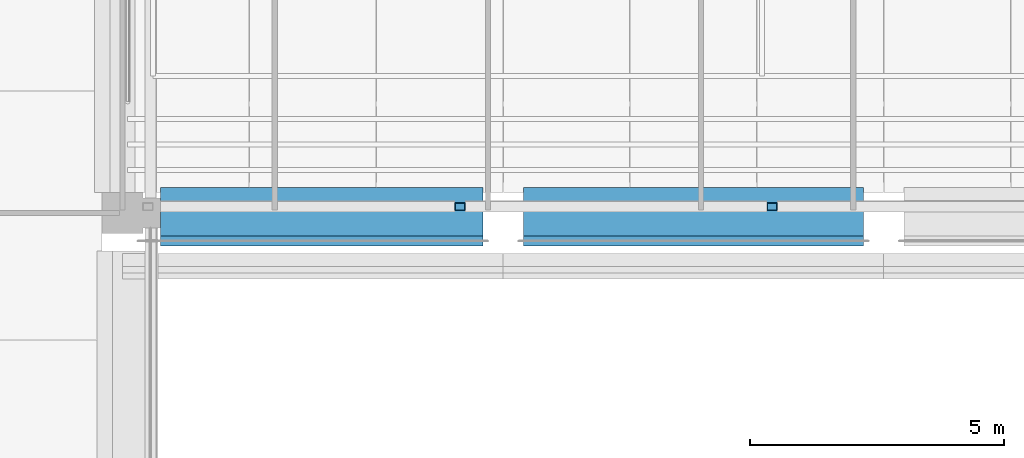
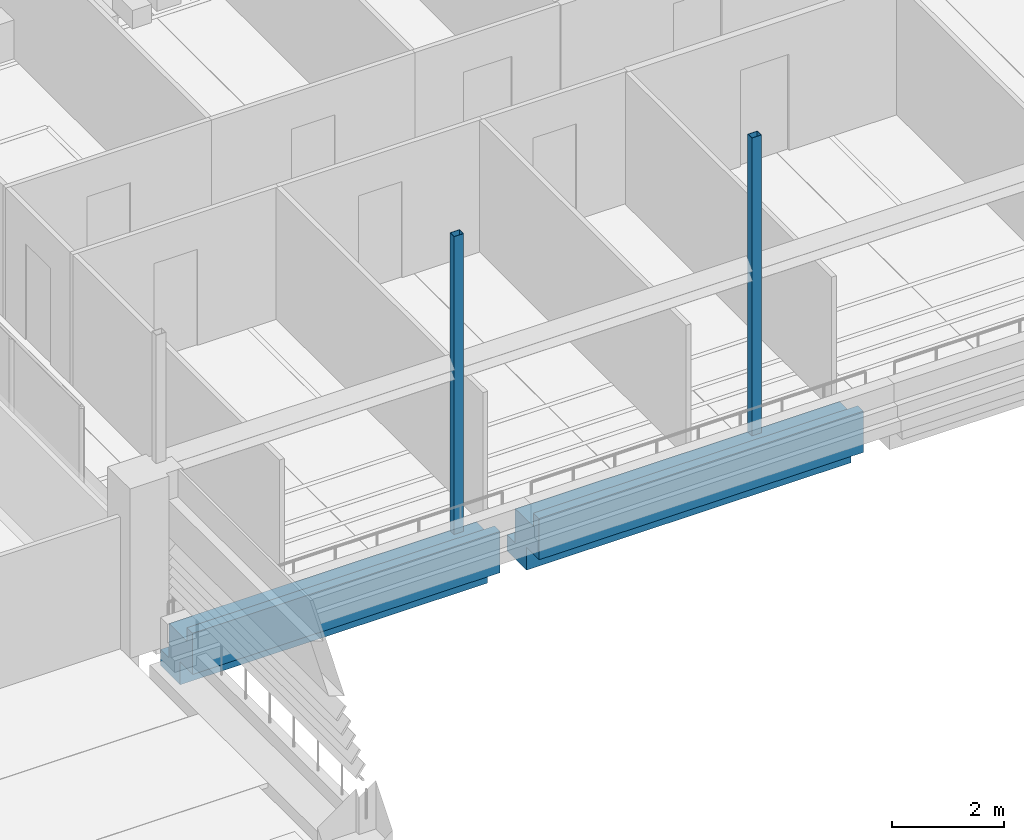
# One storey, part 4 of 62: 2 beams, 2 members.
"""IFC4 building model written with IfcOpenShell, lengths in metres."""

from ifc_helpers import new_model, si_unit, direction, frame, origin, origin_2d, place, context, subcontext, project, spatial, polyline, hollow_rectangle, outline, extrude, material, material_profile, profile_set, type_object, element, save


model = new_model("IFC4")

# Units and contexts
model_context = context("Model", 3, precision=1e-05, world=origin(), true_north=direction((0.0, 1.0)))
body_context = subcontext(model_context, "Body", "Model", "MODEL_VIEW")
ifc_project = project(units=[si_unit("LENGTHUNIT", "METRE"), si_unit("AREAUNIT", "SQUARE_METRE"), si_unit("VOLUMEUNIT", "CUBIC_METRE"), si_unit("PLANEANGLEUNIT", "RADIAN"), si_unit("MASSUNIT", "GRAM", prefix="KILO")], contexts=[model_context])

# Site, building, storey
site_placement = place(None, origin())
site = spatial("IfcSite", under=ifc_project, at=site_placement, CompositionType="ELEMENT")
building_placement = place(site_placement, origin())
building = spatial("IfcBuilding", under=site, at=building_placement, Name="Cour d'Honneur Mobility Palace", CompositionType="ELEMENT")
storey_placement = place(building_placement, frame((0.0, 0.0, 19.300048828125)))
storey = spatial("IfcBuildingStorey", under=building, at=storey_placement, Name="L05", CompositionType="ELEMENT", Elevation=19.300048828125)

# Beams
ifc_material_1 = material(Name="Concrete C45", Category="concrete")
ifc_material_profile_1 = material_profile(ifc_material_1, outline(polyline([(0.5, -1.10009765625), (0.5, -0.75), (0.199951171875, -0.75), (0.199951171875, 0.0), (-0.199951171875, 0.0), (-0.449951171875, 0.0), (-0.449951171875, 0.300048828125), (-0.64990234375, 0.300048828125), (-0.64990234375, -0.60009765625), (-0.199951171875, -0.60009765625), (-0.199951171875, -1.10009765625), (0.5, -1.10009765625)])), Name="Ledger Beam 400x1100 ledge left 350 facade right")
ifc_profile_set_1 = profile_set([ifc_material_profile_1], Name="Concrete C45")
beam_type = type_object("IfcBeamType", Name="Ledger Beam 400x1100 ledge left 350 facade right", PredefinedType="BEAM", material=ifc_profile_set_1)
beam_1_placement = place(storey_placement, frame((18.14990234375, 45.0, 0.0), z_axis=(1.0, 0.0, 0.0), x_axis=(0.0, 1.0, 0.0)))
element("IfcBeam", 1, at=beam_1_placement, inside=storey, type_object=beam_type, Name="Precast beam B2 2-3 L05", PredefinedType="BEAM", context=body_context, shape_type="SweptSolid", body=[
    extrude(outline(polyline([(0.5, -1.10009765625), (0.5, -0.75), (0.199951171875, -0.75), (0.199951171875, 0.0), (-0.199951171875, 0.0), (-0.449951171875, 0.0), (-0.449951171875, 0.300048828125), (-0.64990234375, 0.300048828125), (-0.64990234375, -0.60009765625), (-0.199951171875, -0.60009765625), (-0.199951171875, -1.10009765625), (0.5, -1.10009765625)])), origin(), (0.0, 0.0, 1.0), 6.35009765625),
])
beam_2_placement = place(storey_placement, frame((25.300048828125, 45.0, 0.0), z_axis=(1.0, 0.0, 0.0), x_axis=(0.0, 1.0, 0.0)))
element("IfcBeam", 2, at=beam_2_placement, inside=storey, type_object=beam_type, Name="Precast beam B2 3-4 L05", PredefinedType="BEAM", context=body_context, shape_type="SweptSolid", body=[
    extrude(outline(polyline([(0.5, -1.10009765625), (0.5, -0.75), (0.199951171875, -0.75), (0.199951171875, 0.0), (-0.199951171875, 0.0), (-0.449951171875, 0.0), (-0.449951171875, 0.300048828125), (-0.64990234375, 0.300048828125), (-0.64990234375, -0.60009765625), (-0.199951171875, -0.60009765625), (-0.199951171875, -1.10009765625), (0.5, -1.10009765625)])), origin(), (0.0, 0.0, 1.0), 6.699951171875),
])

# Members
ifc_material_2 = material(Name="Steel S355", Category="steel")
ifc_material_profile_2 = material_profile(ifc_material_2, hollow_rectangle(XDim=0.14990234375, YDim=0.199951171875, WallThickness=0.008056640625, at=origin_2d()), Name="RHS 200x150x8")
ifc_profile_set_2 = profile_set([ifc_material_profile_2], Name="Steel S355")
member_type = type_object("IfcMemberType", Name="Pergola post RHS 200x150x8", PredefinedType="POST", material=ifc_profile_set_2)
for number, where, z_axis, x_axis, name in (
    (3, (24.050048828125, 45.125, 0.0), (0.0, 0.0, 1.0), (0.0, 1.0, 0.0), "Pergola post FW-S2"),
    (4, (30.199951171875, 45.125, 0.0), (0.0, 0.0, 1.0), (0.0, 1.0, 0.0), "Pergola post FW-S3"),
):
    element("IfcMember", number, at=place(storey_placement, frame(where, z_axis=z_axis, x_axis=x_axis)), inside=storey, type_object=member_type, Name=name, PredefinedType="POST", context=body_context, shape_type="SweptSolid", body=[
        extrude(hollow_rectangle(XDim=0.14990234375, YDim=0.199951171875, WallThickness=0.008056640625, at=origin_2d()), origin(), (0.0, 0.0, 1.0), 6.5),
    ])

save(model, "model.ifc")
